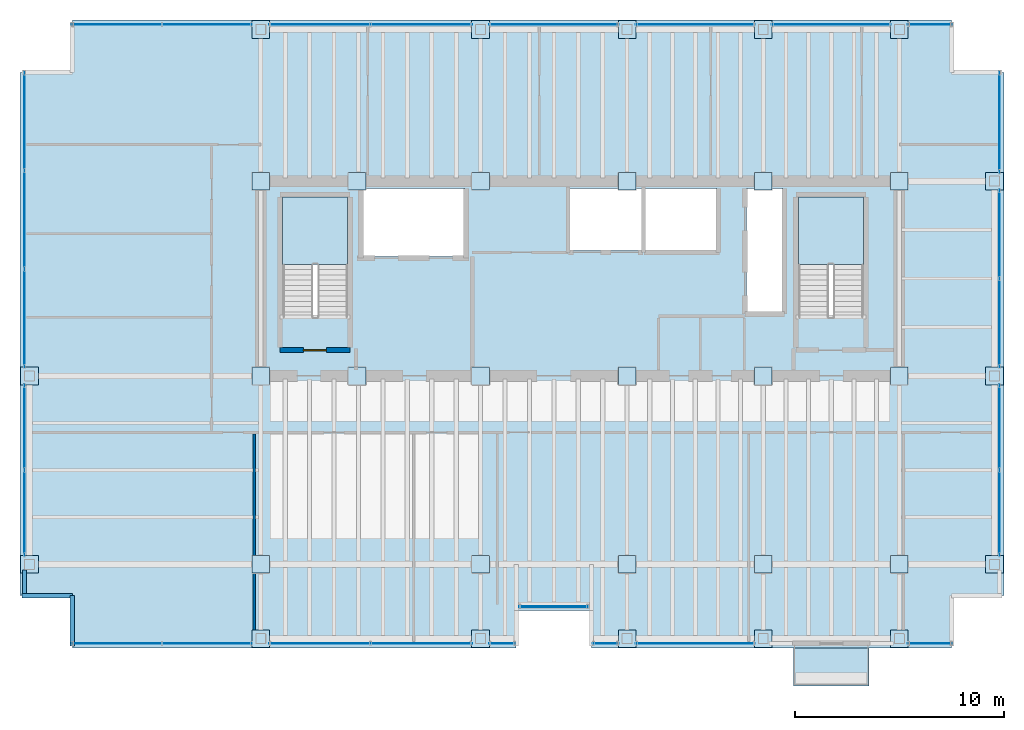
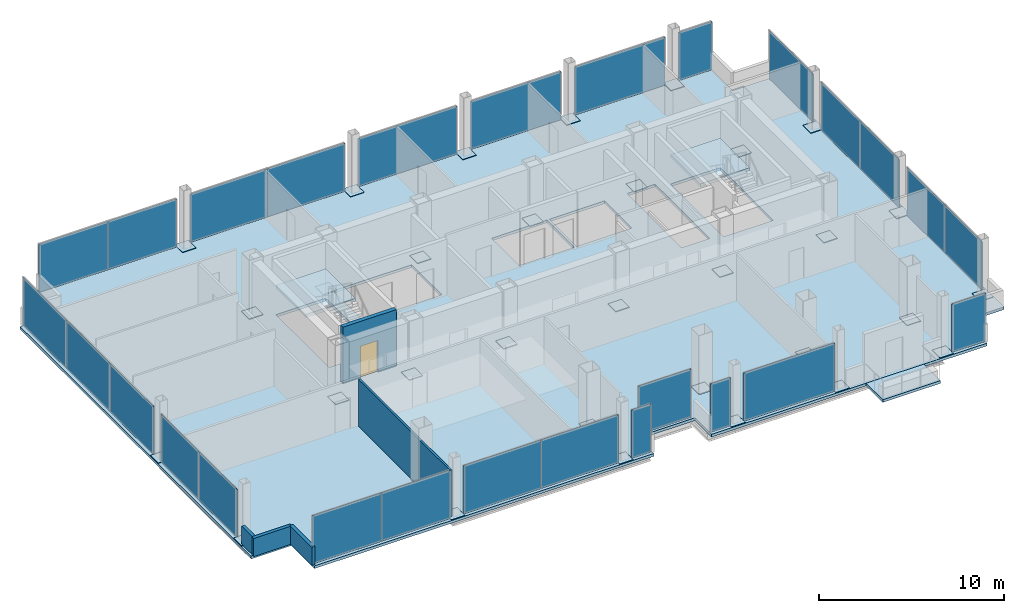
# One storey, part 15 of 19: 59 plates, 5 walls, 4 slabs, 1 door, 7 openings, 20 elements without a shape of their own.
"""IFC4 building model written with IfcOpenShell, lengths in metres."""

from ifc_helpers import new_model, si_unit, direction, frame, frame_2d, origin, origin_2d, place, context, subcontext, project, spatial, polyline, rectangle, outline, extrude, material, layer, layer_set, type_object, element, fill, aggregate, save


model = new_model("IFC4")

# Units and contexts
model_context = context("Model", 3, precision=1e-05, world=origin(), true_north=direction((0.0, 1.0)))
body_context = subcontext(model_context, "Body", "Model", "MODEL_VIEW")
ifc_project = project(units=[si_unit("LENGTHUNIT", "METRE"), si_unit("AREAUNIT", "SQUARE_METRE"), si_unit("VOLUMEUNIT", "CUBIC_METRE"), si_unit("PLANEANGLEUNIT", "RADIAN"), si_unit("MASSUNIT", "GRAM", prefix="KILO")], contexts=[model_context])

# Site, building, storey
site_placement = place(None, origin())
site = spatial("IfcSite", under=ifc_project, at=site_placement, CompositionType="ELEMENT")
building_placement = place(site_placement, origin())
building = spatial("IfcBuilding", under=site, at=building_placement, Name="Noeulbin Bourse Tower", CompositionType="ELEMENT")
storey_placement = place(building_placement, frame((0.0, 0.0, 146.10009765625)))
storey = spatial("IfcBuildingStorey", under=building, at=storey_placement, Name="L36", CompositionType="ELEMENT", Elevation=146.10009765625)

# Curtain wall, plate
ifc_material_1 = material(Name="Dark Tinted Triple Glazing", Category="glass")
curtain_wall_type = type_object("IfcCurtainWallType", Name="CW-SYS-3", PredefinedType="NOTDEFINED", material=ifc_material_1)
curtain_wall_1_placement = place(storey_placement, origin())
curtain_wall_1 = element("IfcCurtainWall", 1, at=curtain_wall_1_placement, inside=storey, type_object=curtain_wall_type, Name="Unitised Curtain Wall CW-L36-SREC", PredefinedType="NOTDEFINED")
ifc_layer_1 = layer(ifc_material_1, 0.035888671875)
ifc_layer_set_1 = layer_set([ifc_layer_1], Name="Dark Tinted Triple Glazing")
plate_type_1 = type_object("IfcPlateType", Name="CW-SYS-3-PNL", PredefinedType="CURTAIN_PANEL", material=ifc_layer_set_1)
plate_1_placement = place(storey_placement, frame((27.5, 17.97998046875, 0.0), z_axis=(0.0, 0.0, 1.0), x_axis=(1.0, 0.0, 0.0)))
plate_1 = element("IfcPlate", 2, at=plate_1_placement, type_object=plate_type_1, Name="Glazed Curtain Panel CW-L36-SREC-P00", PredefinedType="CURTAIN_PANEL", context=body_context, shape_type="SweptSolid", body=[
    extrude(rectangle(XDim=3.300048828125, YDim=0.035888671875, at=origin_2d()), origin(), (0.0, 0.0, 1.0), 3.179931640625),
])
aggregate(curtain_wall_1, [plate_1])

# Curtain wall, plates
curtain_wall_2_placement = place(storey_placement, origin())
curtain_wall_2 = element("IfcCurtainWall", 3, at=curtain_wall_2_placement, inside=storey, type_object=curtain_wall_type, Name="Unitised Curtain Wall CW-L36-S1-S1", PredefinedType="NOTDEFINED")
plate_2_placement = place(storey_placement, frame((6.632568359375, 16.219970703125, 0.0), z_axis=(0.0, 0.0, 1.0), x_axis=(1.0, 0.0, 0.0)))
plate_2 = element("IfcPlate", 4, at=plate_2_placement, type_object=plate_type_1, Name="Glazed Curtain Panel CW-L36-S1-S1-P00", PredefinedType="CURTAIN_PANEL", context=body_context, shape_type="SweptSolid", body=[
    extrude(rectangle(XDim=4.304931640625, YDim=0.035888671875, at=origin_2d()), origin(), (0.0, 0.0, 1.0), 3.179931640625),
])
plate_3_placement = place(storey_placement, frame((10.9375, 16.219970703125, 0.0), z_axis=(0.0, 0.0, 1.0), x_axis=(1.0, 0.0, 0.0)))
plate_3 = element("IfcPlate", 5, at=plate_3_placement, type_object=plate_type_1, Name="Glazed Curtain Panel CW-L36-S1-S1-P01", PredefinedType="CURTAIN_PANEL", context=body_context, shape_type="SweptSolid", body=[
    extrude(rectangle(XDim=4.304931640625, YDim=0.035888671875, at=origin_2d()), origin(), (0.0, 0.0, 1.0), 3.179931640625),
])
aggregate(curtain_wall_2, [plate_2, plate_3])

curtain_wall_3_placement = place(storey_placement, origin())
curtain_wall_3 = element("IfcCurtainWall", 6, at=curtain_wall_3_placement, inside=storey, type_object=curtain_wall_type, Name="Unitised Curtain Wall CW-L36-S1-S2", PredefinedType="NOTDEFINED")
plate_4_placement = place(storey_placement, frame((16.330078125, 16.219970703125, 0.0), z_axis=(0.0, 0.0, 1.0), x_axis=(1.0, 0.0, 0.0)))
plate_4 = element("IfcPlate", 7, at=plate_4_placement, type_object=plate_type_1, Name="Glazed Curtain Panel CW-L36-S1-S2-P00", PredefinedType="CURTAIN_PANEL", context=body_context, shape_type="SweptSolid", body=[
    extrude(rectangle(XDim=4.840087890625, YDim=0.035888671875, at=origin_2d()), origin(), (0.0, 0.0, 1.0), 3.179931640625),
])
plate_5_placement = place(storey_placement, frame((21.169921875, 16.219970703125, 0.0), z_axis=(0.0, 0.0, 1.0), x_axis=(1.0, 0.0, 0.0)))
plate_5 = element("IfcPlate", 8, at=plate_5_placement, type_object=plate_type_1, Name="Glazed Curtain Panel CW-L36-S1-S2-P01", PredefinedType="CURTAIN_PANEL", context=body_context, shape_type="SweptSolid", body=[
    extrude(rectangle(XDim=4.840087890625, YDim=0.035888671875, at=origin_2d()), origin(), (0.0, 0.0, 1.0), 3.179931640625),
])
aggregate(curtain_wall_3, [plate_4, plate_5])

# Curtain wall, plate
curtain_wall_4_placement = place(storey_placement, origin())
curtain_wall_4 = element("IfcCurtainWall", 9, at=curtain_wall_4_placement, inside=storey, type_object=curtain_wall_type, Name="Unitised Curtain Wall CW-L36-S1-S3", PredefinedType="NOTDEFINED")
plate_6_placement = place(storey_placement, frame((25.030029296875, 16.219970703125, 0.0), z_axis=(0.0, 0.0, 1.0), x_axis=(1.0, 0.0, 0.0)))
plate_6 = element("IfcPlate", 10, at=plate_6_placement, type_object=plate_type_1, Name="Glazed Curtain Panel CW-L36-S1-S3-P00", PredefinedType="CURTAIN_PANEL", context=body_context, shape_type="SweptSolid", body=[
    extrude(rectangle(XDim=1.239990234375, YDim=0.035888671875, at=origin_2d()), origin(), (0.0, 0.0, 1.0), 3.179931640625),
])
aggregate(curtain_wall_4, [plate_6])

curtain_wall_5_placement = place(storey_placement, origin())
curtain_wall_5 = element("IfcCurtainWall", 11, at=curtain_wall_5_placement, inside=storey, type_object=curtain_wall_type, Name="Unitised Curtain Wall CW-L36-S2-S1", PredefinedType="NOTDEFINED")
plate_7_placement = place(storey_placement, frame((29.969970703125, 16.219970703125, 0.0), z_axis=(0.0, 0.0, 1.0), x_axis=(1.0, 0.0, 0.0)))
plate_7 = element("IfcPlate", 12, at=plate_7_placement, type_object=plate_type_1, Name="Glazed Curtain Panel CW-L36-S2-S1-P00", PredefinedType="CURTAIN_PANEL", context=body_context, shape_type="SweptSolid", body=[
    extrude(rectangle(XDim=1.239990234375, YDim=0.035888671875, at=origin_2d()), origin(), (0.0, 0.0, 1.0), 3.179931640625),
])
aggregate(curtain_wall_5, [plate_7])

curtain_wall_6_placement = place(storey_placement, origin())
curtain_wall_6 = element("IfcCurtainWall", 13, at=curtain_wall_6_placement, inside=storey, type_object=curtain_wall_type, Name="Unitised Curtain Wall CW-L36-S2-S2", PredefinedType="NOTDEFINED")
plate_8_placement = place(storey_placement, frame((34.25, 16.219970703125, 0.0), z_axis=(0.0, 0.0, 1.0), x_axis=(1.0, 0.0, 0.0)))
plate_8 = element("IfcPlate", 14, at=plate_8_placement, type_object=plate_type_1, Name="Glazed Curtain Panel CW-L36-S2-S2-P00", PredefinedType="CURTAIN_PANEL", context=body_context, shape_type="SweptSolid", body=[
    extrude(rectangle(XDim=5.679931640625, YDim=0.035888671875, at=origin_2d()), origin(), (0.0, 0.0, 1.0), 3.179931640625),
])
aggregate(curtain_wall_6, [plate_8])

curtain_wall_7_placement = place(storey_placement, origin())
curtain_wall_7 = element("IfcCurtainWall", 15, at=curtain_wall_7_placement, inside=storey, type_object=curtain_wall_type, Name="Unitised Curtain Wall CW-L36-S3", PredefinedType="NOTDEFINED")
plate_9_placement = place(storey_placement, frame((45.465087890625, 16.219970703125, 0.0), z_axis=(0.0, 0.0, 1.0), x_axis=(1.0, 0.0, 0.0)))
plate_9 = element("IfcPlate", 16, at=plate_9_placement, type_object=plate_type_1, Name="Glazed Curtain Panel CW-L36-S3-P00", PredefinedType="CURTAIN_PANEL", context=body_context, shape_type="SweptSolid", body=[
    extrude(rectangle(XDim=2.110107421875, YDim=0.035888671875, at=origin_2d()), origin(), (0.0, 0.0, 1.0), 3.179931640625),
])
aggregate(curtain_wall_7, [plate_9])

# Curtain wall, plates
curtain_wall_8_placement = place(storey_placement, origin())
curtain_wall_8 = element("IfcCurtainWall", 17, at=curtain_wall_8_placement, inside=storey, type_object=curtain_wall_type, Name="Unitised Curtain Wall CW-L36-N-S1", PredefinedType="NOTDEFINED")
plate_10_placement = place(storey_placement, frame((6.632568359375, 45.780029296875, 0.0), z_axis=(0.0, 0.0, 1.0), x_axis=(1.0, 0.0, 0.0)))
plate_10 = element("IfcPlate", 18, at=plate_10_placement, type_object=plate_type_1, Name="Glazed Curtain Panel CW-L36-N-S1-P00", PredefinedType="CURTAIN_PANEL", context=body_context, shape_type="SweptSolid", body=[
    extrude(rectangle(XDim=4.304931640625, YDim=0.035888671875, at=origin_2d()), origin(), (0.0, 0.0, 1.0), 3.179931640625),
])
plate_11_placement = place(storey_placement, frame((10.9375, 45.780029296875, 0.0), z_axis=(0.0, 0.0, 1.0), x_axis=(1.0, 0.0, 0.0)))
plate_11 = element("IfcPlate", 19, at=plate_11_placement, type_object=plate_type_1, Name="Glazed Curtain Panel CW-L36-N-S1-P01", PredefinedType="CURTAIN_PANEL", context=body_context, shape_type="SweptSolid", body=[
    extrude(rectangle(XDim=4.304931640625, YDim=0.035888671875, at=origin_2d()), origin(), (0.0, 0.0, 1.0), 3.179931640625),
])
aggregate(curtain_wall_8, [plate_10, plate_11])

curtain_wall_9_placement = place(storey_placement, origin())
curtain_wall_9 = element("IfcCurtainWall", 20, at=curtain_wall_9_placement, inside=storey, type_object=curtain_wall_type, Name="Unitised Curtain Wall CW-L36-N-S2", PredefinedType="NOTDEFINED")
plate_12_placement = place(storey_placement, frame((16.330078125, 45.780029296875, 0.0), z_axis=(0.0, 0.0, 1.0), x_axis=(1.0, 0.0, 0.0)))
plate_12 = element("IfcPlate", 21, at=plate_12_placement, type_object=plate_type_1, Name="Glazed Curtain Panel CW-L36-N-S2-P00", PredefinedType="CURTAIN_PANEL", context=body_context, shape_type="SweptSolid", body=[
    extrude(rectangle(XDim=4.840087890625, YDim=0.035888671875, at=origin_2d()), origin(), (0.0, 0.0, 1.0), 3.179931640625),
])
plate_13_placement = place(storey_placement, frame((21.169921875, 45.780029296875, 0.0), z_axis=(0.0, 0.0, 1.0), x_axis=(1.0, 0.0, 0.0)))
plate_13 = element("IfcPlate", 22, at=plate_13_placement, type_object=plate_type_1, Name="Glazed Curtain Panel CW-L36-N-S2-P01", PredefinedType="CURTAIN_PANEL", context=body_context, shape_type="SweptSolid", body=[
    extrude(rectangle(XDim=4.840087890625, YDim=0.035888671875, at=origin_2d()), origin(), (0.0, 0.0, 1.0), 3.179931640625),
])
aggregate(curtain_wall_9, [plate_12, plate_13])

# Curtain wall, plate
curtain_wall_10_placement = place(storey_placement, origin())
curtain_wall_10 = element("IfcCurtainWall", 23, at=curtain_wall_10_placement, inside=storey, type_object=curtain_wall_type, Name="Unitised Curtain Wall CW-L36-N-S3", PredefinedType="NOTDEFINED")
plate_14_placement = place(storey_placement, frame((27.5, 45.780029296875, 0.0), z_axis=(0.0, 0.0, 1.0), x_axis=(1.0, 0.0, 0.0)))
plate_14 = element("IfcPlate", 24, at=plate_14_placement, type_object=plate_type_1, Name="Glazed Curtain Panel CW-L36-N-S3-P00", PredefinedType="CURTAIN_PANEL", context=body_context, shape_type="SweptSolid", body=[
    extrude(rectangle(XDim=6.179931640625, YDim=0.035888671875, at=origin_2d()), origin(), (0.0, 0.0, 1.0), 3.179931640625),
])
aggregate(curtain_wall_10, [plate_14])

curtain_wall_11_placement = place(storey_placement, origin())
curtain_wall_11 = element("IfcCurtainWall", 25, at=curtain_wall_11_placement, inside=storey, type_object=curtain_wall_type, Name="Unitised Curtain Wall CW-L36-N-S4", PredefinedType="NOTDEFINED")
plate_15_placement = place(storey_placement, frame((34.25, 45.780029296875, 0.0), z_axis=(0.0, 0.0, 1.0), x_axis=(1.0, 0.0, 0.0)))
plate_15 = element("IfcPlate", 26, at=plate_15_placement, type_object=plate_type_1, Name="Glazed Curtain Panel CW-L36-N-S4-P00", PredefinedType="CURTAIN_PANEL", context=body_context, shape_type="SweptSolid", body=[
    extrude(rectangle(XDim=5.679931640625, YDim=0.035888671875, at=origin_2d()), origin(), (0.0, 0.0, 1.0), 3.179931640625),
])
aggregate(curtain_wall_11, [plate_15])

curtain_wall_12_placement = place(storey_placement, origin())
curtain_wall_12 = element("IfcCurtainWall", 27, at=curtain_wall_12_placement, inside=storey, type_object=curtain_wall_type, Name="Unitised Curtain Wall CW-L36-N-S5", PredefinedType="NOTDEFINED")
plate_16_placement = place(storey_placement, frame((40.75, 45.780029296875, 0.0), z_axis=(0.0, 0.0, 1.0), x_axis=(1.0, 0.0, 0.0)))
plate_16 = element("IfcPlate", 28, at=plate_16_placement, type_object=plate_type_1, Name="Glazed Curtain Panel CW-L36-N-S5-P00", PredefinedType="CURTAIN_PANEL", context=body_context, shape_type="SweptSolid", body=[
    extrude(rectangle(XDim=5.679931640625, YDim=0.035888671875, at=origin_2d()), origin(), (0.0, 0.0, 1.0), 3.179931640625),
])
aggregate(curtain_wall_12, [plate_16])

curtain_wall_13_placement = place(storey_placement, origin())
curtain_wall_13 = element("IfcCurtainWall", 29, at=curtain_wall_13_placement, inside=storey, type_object=curtain_wall_type, Name="Unitised Curtain Wall CW-L36-N-S6", PredefinedType="NOTDEFINED")
plate_17_placement = place(storey_placement, frame((45.465087890625, 45.780029296875, 0.0), z_axis=(0.0, 0.0, 1.0), x_axis=(1.0, 0.0, 0.0)))
plate_17 = element("IfcPlate", 30, at=plate_17_placement, type_object=plate_type_1, Name="Glazed Curtain Panel CW-L36-N-S6-P00", PredefinedType="CURTAIN_PANEL", context=body_context, shape_type="SweptSolid", body=[
    extrude(rectangle(XDim=2.110107421875, YDim=0.035888671875, at=origin_2d()), origin(), (0.0, 0.0, 1.0), 3.179931640625),
])
aggregate(curtain_wall_13, [plate_17])

# Curtain wall, plates
curtain_wall_14_placement = place(storey_placement, origin())
curtain_wall_14 = element("IfcCurtainWall", 31, at=curtain_wall_14_placement, inside=storey, type_object=curtain_wall_type, Name="Unitised Curtain Wall CW-L36-W-S1", PredefinedType="NOTDEFINED")
plate_18_placement = place(storey_placement, frame((2.219970703125, 22.455078125, 0.0), z_axis=(0.0, 0.0, 1.0), x_axis=(0.0, 1.0, 0.0)))
plate_18 = element("IfcPlate", 32, at=plate_18_placement, type_object=plate_type_1, Name="Glazed Curtain Panel CW-L36-W-S1-P00", PredefinedType="CURTAIN_PANEL", context=body_context, shape_type="SweptSolid", body=[
    extrude(rectangle(XDim=4.090087890625, YDim=0.035888671875, at=origin_2d()), origin(), (0.0, 0.0, 1.0), 3.179931640625),
])
plate_19_placement = place(storey_placement, frame((2.219970703125, 26.544921875, 0.0), z_axis=(0.0, 0.0, 1.0), x_axis=(0.0, 1.0, 0.0)))
plate_19 = element("IfcPlate", 33, at=plate_19_placement, type_object=plate_type_1, Name="Glazed Curtain Panel CW-L36-W-S1-P01", PredefinedType="CURTAIN_PANEL", context=body_context, shape_type="SweptSolid", body=[
    extrude(rectangle(XDim=4.090087890625, YDim=0.035888671875, at=origin_2d()), origin(), (0.0, 0.0, 1.0), 3.179931640625),
])
aggregate(curtain_wall_14, [plate_18, plate_19])

curtain_wall_15_placement = place(storey_placement, origin())
curtain_wall_15 = element("IfcCurtainWall", 34, at=curtain_wall_15_placement, inside=storey, type_object=curtain_wall_type, Name="Unitised Curtain Wall CW-L36-W-S2", PredefinedType="NOTDEFINED")
plate_20_placement = place(storey_placement, frame((2.219970703125, 31.76171875, 0.0), z_axis=(0.0, 0.0, 1.0), x_axis=(0.0, 1.0, 0.0)))
plate_20 = element("IfcPlate", 35, at=plate_20_placement, type_object=plate_type_1, Name="Glazed Curtain Panel CW-L36-W-S2-P00", PredefinedType="CURTAIN_PANEL", context=body_context, shape_type="SweptSolid", body=[
    extrude(rectangle(XDim=4.703369140625, YDim=0.035888671875, at=origin_2d()), origin(), (0.0, 0.0, 1.0), 3.179931640625),
])
plate_21_placement = place(storey_placement, frame((2.219970703125, 36.465087890625, 0.0), z_axis=(0.0, 0.0, 1.0), x_axis=(0.0, 1.0, 0.0)))
plate_21 = element("IfcPlate", 36, at=plate_21_placement, type_object=plate_type_1, Name="Glazed Curtain Panel CW-L36-W-S2-P01", PredefinedType="CURTAIN_PANEL", context=body_context, shape_type="SweptSolid", body=[
    extrude(rectangle(XDim=4.703369140625, YDim=0.035888671875, at=origin_2d()), origin(), (0.0, 0.0, 1.0), 3.179931640625),
])
plate_22_placement = place(storey_placement, frame((2.219970703125, 41.168212890625, 0.0), z_axis=(0.0, 0.0, 1.0), x_axis=(0.0, 1.0, 0.0)))
plate_22 = element("IfcPlate", 37, at=plate_22_placement, type_object=plate_type_1, Name="Glazed Curtain Panel CW-L36-W-S2-P02", PredefinedType="CURTAIN_PANEL", context=body_context, shape_type="SweptSolid", body=[
    extrude(rectangle(XDim=4.703369140625, YDim=0.035888671875, at=origin_2d()), origin(), (0.0, 0.0, 1.0), 3.179931640625),
])
aggregate(curtain_wall_15, [plate_20, plate_21, plate_22])

curtain_wall_16_placement = place(storey_placement, origin())
curtain_wall_16 = element("IfcCurtainWall", 38, at=curtain_wall_16_placement, inside=storey, type_object=curtain_wall_type, Name="Unitised Curtain Wall CW-L36-E-S1", PredefinedType="NOTDEFINED")
plate_23_placement = place(storey_placement, frame((48.780029296875, 22.455078125, 0.0), z_axis=(0.0, 0.0, 1.0), x_axis=(0.0, 1.0, 0.0)))
plate_23 = element("IfcPlate", 39, at=plate_23_placement, type_object=plate_type_1, Name="Glazed Curtain Panel CW-L36-E-S1-P00", PredefinedType="CURTAIN_PANEL", context=body_context, shape_type="SweptSolid", body=[
    extrude(rectangle(XDim=4.090087890625, YDim=0.035888671875, at=origin_2d()), origin(), (0.0, 0.0, 1.0), 3.179931640625),
])
plate_24_placement = place(storey_placement, frame((48.780029296875, 26.544921875, 0.0), z_axis=(0.0, 0.0, 1.0), x_axis=(0.0, 1.0, 0.0)))
plate_24 = element("IfcPlate", 40, at=plate_24_placement, type_object=plate_type_1, Name="Glazed Curtain Panel CW-L36-E-S1-P01", PredefinedType="CURTAIN_PANEL", context=body_context, shape_type="SweptSolid", body=[
    extrude(rectangle(XDim=4.090087890625, YDim=0.035888671875, at=origin_2d()), origin(), (0.0, 0.0, 1.0), 3.179931640625),
])
aggregate(curtain_wall_16, [plate_23, plate_24])

curtain_wall_17_placement = place(storey_placement, origin())
curtain_wall_17 = element("IfcCurtainWall", 41, at=curtain_wall_17_placement, inside=storey, type_object=curtain_wall_type, Name="Unitised Curtain Wall CW-L36-E-S2", PredefinedType="NOTDEFINED")
plate_25_placement = place(storey_placement, frame((48.780029296875, 31.530029296875, 0.0), z_axis=(0.0, 0.0, 1.0), x_axis=(0.0, 1.0, 0.0)))
plate_25 = element("IfcPlate", 42, at=plate_25_placement, type_object=plate_type_1, Name="Glazed Curtain Panel CW-L36-E-S2-P00", PredefinedType="CURTAIN_PANEL", context=body_context, shape_type="SweptSolid", body=[
    extrude(rectangle(XDim=4.239990234375, YDim=0.035888671875, at=origin_2d()), origin(), (0.0, 0.0, 1.0), 3.179931640625),
])
plate_26_placement = place(storey_placement, frame((48.780029296875, 35.77001953125, 0.0), z_axis=(0.0, 0.0, 1.0), x_axis=(0.0, 1.0, 0.0)))
plate_26 = element("IfcPlate", 43, at=plate_26_placement, type_object=plate_type_1, Name="Glazed Curtain Panel CW-L36-E-S2-P01", PredefinedType="CURTAIN_PANEL", context=body_context, shape_type="SweptSolid", body=[
    extrude(rectangle(XDim=4.239990234375, YDim=0.035888671875, at=origin_2d()), origin(), (0.0, 0.0, 1.0), 3.179931640625),
])
aggregate(curtain_wall_17, [plate_25, plate_26])

# Curtain wall, plate
curtain_wall_18_placement = place(storey_placement, origin())
curtain_wall_18 = element("IfcCurtainWall", 44, at=curtain_wall_18_placement, inside=storey, type_object=curtain_wall_type, Name="Unitised Curtain Wall CW-L36-E-S3", PredefinedType="NOTDEFINED")
plate_27_placement = place(storey_placement, frame((48.780029296875, 41.114990234375, 0.0), z_axis=(0.0, 0.0, 1.0), x_axis=(0.0, 1.0, 0.0)))
plate_27 = element("IfcPlate", 45, at=plate_27_placement, type_object=plate_type_1, Name="Glazed Curtain Panel CW-L36-E-S3-P00", PredefinedType="CURTAIN_PANEL", context=body_context, shape_type="SweptSolid", body=[
    extrude(rectangle(XDim=4.81005859375, YDim=0.035888671875, at=origin_2d()), origin(), (0.0, 0.0, 1.0), 3.179931640625),
])
aggregate(curtain_wall_18, [plate_27])

# Plates
ifc_material_2 = material(Name="Steel S355", Category="steel")
ifc_layer_2 = layer(ifc_material_2, 0.030029296875)
ifc_layer_set_2 = layer_set([ifc_layer_2], Name="Steel S355")
plate_type_2 = type_object("IfcPlateType", Name="PLT-BN1", PredefinedType="USERDEFINED", material=ifc_layer_set_2)
for number, where, z_axis, x_axis, name in (
    (46, (13.5, 29.0, 0.0048828125), (0.0, 0.0, 1.0), (1.0, 0.0, 0.0), "Mega-Column Splice Plate BN1-L36-01"),
    (47, (13.5, 38.300048828125, 0.0048828125), (0.0, 0.0, 1.0), (1.0, 0.0, 0.0), "Mega-Column Splice Plate BN1-L36-02"),
    (48, (18.10009765625, 29.0, 0.0048828125), (0.0, 0.0, 1.0), (1.0, 0.0, 0.0), "Mega-Column Splice Plate BN1-L36-03"),
    (49, (18.10009765625, 38.300048828125, 0.0048828125), (0.0, 0.0, 1.0), (1.0, 0.0, 0.0), "Mega-Column Splice Plate BN1-L36-04"),
    (50, (24.0, 29.0, 0.0048828125), (0.0, 0.0, 1.0), (1.0, 0.0, 0.0), "Mega-Column Splice Plate BN1-L36-05"),
    (51, (24.0, 38.300048828125, 0.0048828125), (0.0, 0.0, 1.0), (1.0, 0.0, 0.0), "Mega-Column Splice Plate BN1-L36-06"),
    (52, (31.0, 29.0, 0.0048828125), (0.0, 0.0, 1.0), (1.0, 0.0, 0.0), "Mega-Column Splice Plate BN1-L36-07"),
    (53, (31.0, 38.300048828125, 0.0048828125), (0.0, 0.0, 1.0), (1.0, 0.0, 0.0), "Mega-Column Splice Plate BN1-L36-08"),
    (54, (37.5, 29.0, 0.0048828125), (0.0, 0.0, 1.0), (1.0, 0.0, 0.0), "Mega-Column Splice Plate BN1-L36-09"),
    (55, (37.5, 38.300048828125, 0.0048828125), (0.0, 0.0, 1.0), (1.0, 0.0, 0.0), "Mega-Column Splice Plate BN1-L36-10"),
    (56, (44.0, 29.0, 0.0048828125), (0.0, 0.0, 1.0), (1.0, 0.0, 0.0), "Mega-Column Splice Plate BN1-L36-11"),
    (57, (44.0, 38.300048828125, 0.0048828125), (0.0, 0.0, 1.0), (1.0, 0.0, 0.0), "Mega-Column Splice Plate BN1-L36-12"),
    (58, (13.5, 20.0, 0.0048828125), (0.0, 0.0, 1.0), (1.0, 0.0, 0.0), "Mega-Column Splice Plate BN1-L36-13"),
    (59, (24.0, 20.0, 0.0048828125), (0.0, 0.0, 1.0), (1.0, 0.0, 0.0), "Mega-Column Splice Plate BN1-L36-14"),
    (60, (31.0, 20.0, 0.0048828125), (0.0, 0.0, 1.0), (1.0, 0.0, 0.0), "Mega-Column Splice Plate BN1-L36-15"),
    (61, (37.5, 20.0, 0.0048828125), (0.0, 0.0, 1.0), (1.0, 0.0, 0.0), "Mega-Column Splice Plate BN1-L36-16"),
    (62, (44.0, 20.0, 0.0048828125), (0.0, 0.0, 1.0), (1.0, 0.0, 0.0), "Mega-Column Splice Plate BN1-L36-17"),
    (63, (2.449951171875, 20.0, 0.0048828125), (0.0, 0.0, 1.0), (1.0, 0.0, 0.0), "Perimeter Column Splice Plate BN1-L36-01"),
    (64, (2.449951171875, 29.0, 0.0048828125), (0.0, 0.0, 1.0), (1.0, 0.0, 0.0), "Perimeter Column Splice Plate BN1-L36-02"),
    (65, (13.5, 16.449951171875, 0.0048828125), (0.0, 0.0, 1.0), (1.0, 0.0, 0.0), "Perimeter Column Splice Plate BN1-L36-03"),
    (66, (13.5, 45.550048828125, 0.0048828125), (0.0, 0.0, 1.0), (1.0, 0.0, 0.0), "Perimeter Column Splice Plate BN1-L36-04"),
    (67, (24.0, 16.449951171875, 0.0048828125), (0.0, 0.0, 1.0), (1.0, 0.0, 0.0), "Perimeter Column Splice Plate BN1-L36-05"),
    (68, (24.0, 45.550048828125, 0.0048828125), (0.0, 0.0, 1.0), (1.0, 0.0, 0.0), "Perimeter Column Splice Plate BN1-L36-06"),
    (69, (31.0, 16.449951171875, 0.0048828125), (0.0, 0.0, 1.0), (1.0, 0.0, 0.0), "Perimeter Column Splice Plate BN1-L36-07"),
    (70, (31.0, 45.550048828125, 0.0048828125), (0.0, 0.0, 1.0), (1.0, 0.0, 0.0), "Perimeter Column Splice Plate BN1-L36-08"),
    (71, (37.5, 16.449951171875, 0.0048828125), (0.0, 0.0, 1.0), (1.0, 0.0, 0.0), "Perimeter Column Splice Plate BN1-L36-09"),
    (72, (37.5, 45.550048828125, 0.0048828125), (0.0, 0.0, 1.0), (1.0, 0.0, 0.0), "Perimeter Column Splice Plate BN1-L36-10"),
    (73, (44.0, 16.449951171875, 0.0048828125), (0.0, 0.0, 1.0), (1.0, 0.0, 0.0), "Perimeter Column Splice Plate BN1-L36-11"),
    (74, (44.0, 45.550048828125, 0.0048828125), (0.0, 0.0, 1.0), (1.0, 0.0, 0.0), "Perimeter Column Splice Plate BN1-L36-12"),
    (75, (48.550048828125, 20.0, 0.0048828125), (0.0, 0.0, 1.0), (1.0, 0.0, 0.0), "Perimeter Column Splice Plate BN1-L36-13"),
    (76, (48.550048828125, 29.0, 0.0048828125), (0.0, 0.0, 1.0), (1.0, 0.0, 0.0), "Perimeter Column Splice Plate BN1-L36-14"),
    (77, (48.550048828125, 38.300048828125, 0.0048828125), (0.0, 0.0, 1.0), (1.0, 0.0, 0.0), "Perimeter Column Splice Plate BN1-L36-15"),
):
    element("IfcPlate", number, at=place(storey_placement, frame(where, z_axis=z_axis, x_axis=x_axis)), inside=storey, type_object=plate_type_2, Name=name, ObjectType="SPLICE PLATE", PredefinedType="USERDEFINED", context=body_context, shape_type="SweptSolid", body=[
        extrude(rectangle(XDim=0.85009765625, YDim=0.85009765625, at=origin_2d()), origin(), (0.0, 0.0, 1.0), 0.030029296875),
    ])

# Stair, slab
ifc_material_3 = material(Name="Concrete C40/50", Category="concrete")
stair_type = type_object("IfcStairType", Name="STR-CORE-1560", PredefinedType="HALF_TURN_STAIR", material=ifc_material_3)
stair_1_placement = place(storey_placement, origin())
stair_1 = element("IfcStair", 78, at=stair_1_placement, inside=storey, type_object=stair_type, Name="L36 ST-1", PredefinedType="HALF_TURN_STAIR")
ifc_layer_3 = layer(ifc_material_3, 0.199951171875)
ifc_layer_set_3 = layer_set([ifc_layer_3], Name="Concrete C40/50")
slab_type_1 = type_object("IfcSlabType", Name="SLB-LND-200", PredefinedType="LANDING", material=ifc_layer_set_3)
slab_1_placement = place(storey_placement, frame((0.0, 0.0, 1.75)))
slab_1 = element("IfcSlab", 79, at=slab_1_placement, type_object=slab_type_1, Name="ST-1 landing 1", PredefinedType="LANDING", context=body_context, shape_type="SweptSolid", body=[
    extrude(outline(polyline([(17.64990234375, 34.330078125), (17.64990234375, 37.5439453125), (14.550048828125, 37.5439453125), (14.550048828125, 34.330078125), (17.64990234375, 34.330078125)])), origin(), (0.0, 0.0, 1.0), 0.199951171875),
])
aggregate(stair_1, [slab_1])

stair_2_placement = place(storey_placement, origin())
stair_2 = element("IfcStair", 80, at=stair_2_placement, inside=storey, type_object=stair_type, Name="L36 ST-2", PredefinedType="HALF_TURN_STAIR")
slab_2_placement = place(storey_placement, frame((0.0, 0.0, 1.75)))
slab_2 = element("IfcSlab", 81, at=slab_2_placement, type_object=slab_type_1, Name="ST-2 landing 1", PredefinedType="LANDING", context=body_context, shape_type="SweptSolid", body=[
    extrude(outline(polyline([(42.280029296875, 34.330078125), (42.280029296875, 37.5439453125), (39.179931640625, 37.5439453125), (39.179931640625, 34.330078125), (42.280029296875, 34.330078125)])), origin(), (0.0, 0.0, 1.0), 0.199951171875),
])
aggregate(stair_2, [slab_2])

# Slab, openings
ifc_layer_4 = layer(ifc_material_3, 0.179931640625)
ifc_layer_set_4 = layer_set([ifc_layer_4], Name="Concrete C40/50")
slab_type_2 = type_object("IfcSlabType", Name="SLB-TYP-180", PredefinedType="FLOOR", material=ifc_layer_set_4)
slab_3_placement = place(storey_placement, frame((0.0, 0.0, -0.18017578125)))
slab_3 = element("IfcSlab", 82, at=slab_3_placement, inside=storey, type_object=slab_type_2, Name="Tower Structural Floor Slab L36", PredefinedType="FLOOR", context=body_context, shape_type="SweptSolid", body=[
    extrude(outline(polyline([(4.5, 16.0), (25.699951171875, 16.0), (25.699951171875, 17.800048828125), (29.300048828125, 17.800048828125), (29.300048828125, 16.0), (46.5, 16.0), (46.5, 18.5), (49.0, 18.5), (49.0, 43.5), (46.5, 43.5), (46.5, 46.0), (4.5, 46.0), (4.5, 43.5), (2.0, 43.5), (2.0, 18.5), (4.5, 18.5), (4.5, 16.0)]), holes=[polyline([(17.64990234375, 31.81005859375), (17.64990234375, 37.5439453125), (14.550048828125, 37.5439453125), (14.550048828125, 31.81005859375), (17.64990234375, 31.81005859375)]), polyline([(42.280029296875, 31.81005859375), (42.280029296875, 37.5439453125), (39.179931640625, 37.5439453125), (39.179931640625, 31.81005859375), (42.280029296875, 31.81005859375)]), polyline([(18.35009765625, 34.699951171875), (23.25, 34.699951171875), (23.25, 37.949951171875), (18.35009765625, 37.949951171875), (18.35009765625, 34.699951171875)]), polyline([(36.699951171875, 32.050048828125), (38.449951171875, 32.050048828125), (38.449951171875, 37.949951171875), (36.699951171875, 37.949951171875), (36.699951171875, 32.050048828125)]), polyline([(28.25, 35.0), (31.699951171875, 35.0), (31.699951171875, 37.949951171875), (28.25, 37.949951171875), (28.25, 35.0)]), polyline([(31.85009765625, 35.0), (35.300048828125, 35.0), (35.300048828125, 37.949951171875), (31.85009765625, 37.949951171875), (31.85009765625, 35.0)])]), origin(), (0.0, 0.0, 1.0), 0.18017578125),
])
opening_1_placement = place(slab_3_placement, frame((0.0, 0.0, -0.010009765625)))
element("IfcOpeningElement", 83, at=opening_1_placement, cuts=slab_3, Name="Slab Shaft Opening SLB-L36-TWR-1", PredefinedType="OPENING", context=body_context, shape_type="SweptSolid", body=[
    extrude(outline(polyline([(17.64990234375, 31.81005859375), (17.64990234375, 37.5439453125), (14.550048828125, 37.5439453125), (14.550048828125, 31.81005859375), (17.64990234375, 31.81005859375)])), origin(), (0.0, 0.0, 1.0), 0.2001953125),
])
opening_2_placement = place(slab_3_placement, frame((0.0, 0.0, -0.010009765625)))
element("IfcOpeningElement", 84, at=opening_2_placement, cuts=slab_3, Name="Slab Shaft Opening SLB-L36-TWR-2", PredefinedType="OPENING", context=body_context, shape_type="SweptSolid", body=[
    extrude(outline(polyline([(42.280029296875, 31.81005859375), (42.280029296875, 37.5439453125), (39.179931640625, 37.5439453125), (39.179931640625, 31.81005859375), (42.280029296875, 31.81005859375)])), origin(), (0.0, 0.0, 1.0), 0.2001953125),
])
opening_3_placement = place(slab_3_placement, frame((0.0, 0.0, -0.010009765625)))
element("IfcOpeningElement", 85, at=opening_3_placement, cuts=slab_3, Name="Slab Shaft Opening SLB-L36-TWR-3", PredefinedType="OPENING", context=body_context, shape_type="SweptSolid", body=[
    extrude(outline(polyline([(18.35009765625, 34.699951171875), (23.25, 34.699951171875), (23.25, 37.949951171875), (18.35009765625, 37.949951171875), (18.35009765625, 34.699951171875)])), origin(), (0.0, 0.0, 1.0), 0.2001953125),
])
opening_4_placement = place(slab_3_placement, frame((0.0, 0.0, -0.010009765625)))
element("IfcOpeningElement", 86, at=opening_4_placement, cuts=slab_3, Name="Slab Shaft Opening SLB-L36-TWR-4", PredefinedType="OPENING", context=body_context, shape_type="SweptSolid", body=[
    extrude(outline(polyline([(36.699951171875, 32.050048828125), (38.449951171875, 32.050048828125), (38.449951171875, 37.949951171875), (36.699951171875, 37.949951171875), (36.699951171875, 32.050048828125)])), origin(), (0.0, 0.0, 1.0), 0.2001953125),
])
opening_5_placement = place(slab_3_placement, frame((0.0, 0.0, -0.010009765625)))
element("IfcOpeningElement", 87, at=opening_5_placement, cuts=slab_3, Name="Slab Shaft Opening SLB-L36-TWR-5", PredefinedType="OPENING", context=body_context, shape_type="SweptSolid", body=[
    extrude(outline(polyline([(28.25, 35.0), (31.699951171875, 35.0), (31.699951171875, 37.949951171875), (28.25, 37.949951171875), (28.25, 35.0)])), origin(), (0.0, 0.0, 1.0), 0.2001953125),
])
opening_6_placement = place(slab_3_placement, frame((0.0, 0.0, -0.010009765625)))
element("IfcOpeningElement", 88, at=opening_6_placement, cuts=slab_3, Name="Slab Shaft Opening SLB-L36-TWR-6", PredefinedType="OPENING", context=body_context, shape_type="SweptSolid", body=[
    extrude(outline(polyline([(31.85009765625, 35.0), (35.300048828125, 35.0), (35.300048828125, 37.949951171875), (31.85009765625, 37.949951171875), (31.85009765625, 35.0)])), origin(), (0.0, 0.0, 1.0), 0.2001953125),
])

# Slab
slab_4_placement = place(storey_placement, frame((0.0, 0.0, -0.18017578125)))
element("IfcSlab", 89, at=slab_4_placement, inside=storey, type_object=slab_type_2, Name="Cantilevered Tree-Balcony Slab L36", PredefinedType="FLOOR", context=body_context, shape_type="SweptSolid", body=[
    extrude(outline(polyline([(38.949951171875, 14.199951171875), (42.550048828125, 14.199951171875), (42.550048828125, 16.0), (38.949951171875, 16.0), (38.949951171875, 14.199951171875)])), origin(), (0.0, 0.0, 1.0), 0.18017578125),
])

# Walls
ifc_layer_5 = layer(ifc_material_3, 0.199951171875)
ifc_layer_set_5 = layer_set([ifc_layer_5], Name="Concrete C40/50")
wall_type_1 = type_object("IfcWallType", Name="WAL-PAR-200", PredefinedType="PARAPET", material=ifc_layer_set_5)
wall_1_placement = place(storey_placement, frame((2.219970703125, 18.60009765625, 0.0), z_axis=(0.0, 0.0, 1.0), x_axis=(0.0, 1.0, 0.0)))
element("IfcWall", 90, at=wall_1_placement, inside=storey, type_object=wall_type_1, Name="Perimeter Pier Spandrel Parapet L36-W1", PredefinedType="PARAPET", context=body_context, shape_type="SweptSolid", body=[
    extrude(rectangle(XDim=1.1298828125, YDim=0.199951171875, at=frame_2d((0.56494140625, 0.0))), origin(), (0.0, 0.0, 1.0), 1.199951171875),
])
for number, where, z_axis, x_axis, name in (
    (91, (2.10009765625, 18.5, 0.0), (0.0, 0.0, 1.0), (1.0, 0.0, 0.0), "Corner Notch Parapet L36-SW1"),
    (92, (4.5, 18.5, 0.0), (0.0, 0.0, 1.0), (0.0, -1.0, 0.0), "Corner Notch Parapet L36-SW2"),
):
    element("IfcWall", number, at=place(storey_placement, frame(where, z_axis=z_axis, x_axis=x_axis)), inside=storey, type_object=wall_type_1, Name=name, PredefinedType="PARAPET", context=body_context, shape_type="SweptSolid", body=[
        extrude(rectangle(XDim=2.39990234375, YDim=0.199951171875, at=frame_2d((1.199951171875, 0.0))), origin(), (0.0, 0.0, 1.0), 1.199951171875),
    ])
ifc_material_4 = material(Name="Steel Stud Gypsum Partition", Category="steel")
ifc_layer_6 = layer(ifc_material_4, 0.1201171875)
ifc_layer_set_6 = layer_set([ifc_layer_6], Name="Steel Stud Gypsum Partition")
wall_type_2 = type_object("IfcWallType", Name="WAL-PRT-120", PredefinedType="PARTITIONING", material=ifc_layer_set_6)
wall_2_placement = place(storey_placement, frame((13.199951171875, 16.31005859375, 0.0), z_axis=(0.0, 0.0, 1.0), x_axis=(0.0, 1.0, 0.0)))
element("IfcWall", 93, at=wall_2_placement, inside=storey, type_object=wall_type_2, Name="Interior Partition Wall L36-16", PredefinedType="PARTITIONING", context=body_context, shape_type="SweptSolid", body=[
    extrude(rectangle(XDim=9.905029296875, YDim=0.1201171875, at=frame_2d((4.95263671875, 0.0))), origin(), (0.0, 0.0, 1.0), 3.099853515625),
])

# Wall, opening, door
ifc_layer_7 = layer(ifc_material_3, 0.25)
ifc_layer_set_7 = layer_set([ifc_layer_7], Name="Concrete C40/50")
wall_type_3 = type_object("IfcWallType", Name="WAL-SHFT-250", PredefinedType="STANDARD", material=ifc_layer_set_7)
wall_3_placement = place(storey_placement, frame((14.429931640625, 30.235107421875, 0.0), z_axis=(0.0, 0.0, 1.0), x_axis=(1.0, 0.0, 0.0)))
wall_3 = element("IfcWall", 94, at=wall_3_placement, inside=storey, type_object=wall_type_3, Name="Stair ST-1 South Shaft Wall L36", PredefinedType="STANDARD", context=body_context, shape_type="SweptSolid", body=[
    extrude(rectangle(XDim=3.340087890625, YDim=0.25, at=frame_2d((1.669921875, 0.0))), origin(), (0.0, 0.0, 1.0), 3.719970703125),
])
opening_7_placement = place(wall_3_placement, frame((1.10009765625, 0.0, 0.0)))
opening_7 = element("IfcOpeningElement", 95, at=opening_7_placement, cuts=wall_3, Name="Opening FD-11", PredefinedType="OPENING", context=body_context, shape_type="SweptSolid", body=[
    extrude(rectangle(XDim=1.10009765625, YDim=2.080078125, at=frame_2d((0.550048828125, 1.0400390625))), frame((0.0, 0.135009765625, 0.0), z_axis=(0.0, -1.0, 0.0), x_axis=(1.0, 0.0, 0.0)), (0.0, 0.0, 1.0), 0.27001953125),
])
ifc_material_5 = material(Name="Fire-Rated Insulated Steel", Category="steel")
door_type = type_object("IfcDoorType", Name="DR-FD60-1100", OperationType="SINGLE_SWING_LEFT", PredefinedType="DOOR", material=ifc_material_5)
door_placement = place(opening_7_placement, origin())
door = element("IfcDoor", 96, at=door_placement, inside=storey, type_object=door_type, Name="Protected Stair Entry Door ST1-L36", OperationType="SINGLE_SWING_LEFT", OverallHeight=2.080078125, OverallWidth=1.10009765625, PredefinedType="DOOR", context=body_context, shape_type="SweptSolid", body=[
    extrude(rectangle(XDim=1.10009765625, YDim=2.080078125, at=frame_2d((0.550048828125, 1.0400390625))), frame((0.0, 0.02490234375, 0.0), z_axis=(0.0, -1.0, 0.0), x_axis=(1.0, 0.0, 0.0)), (0.0, 0.0, 1.0), 0.050048828125),
])
fill(opening_7, door)

save(model, "model.ifc")
